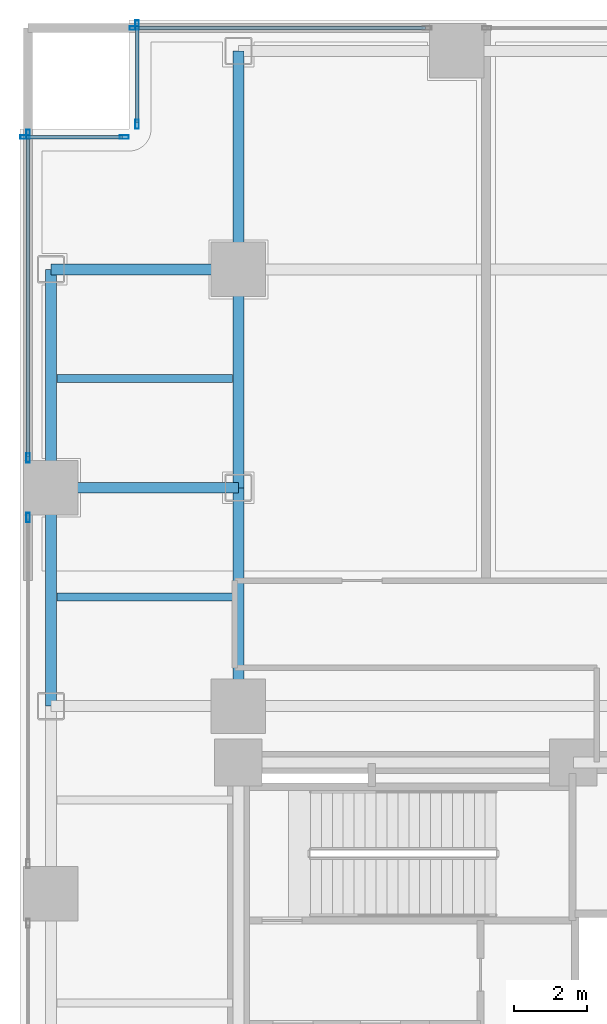
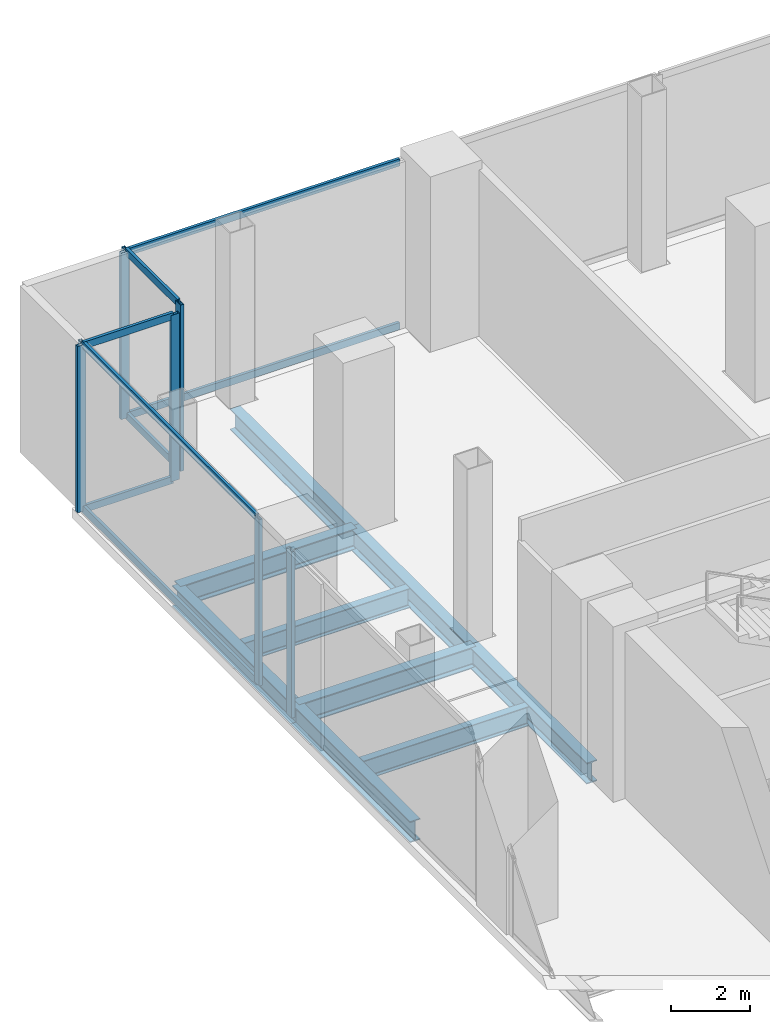
# One storey, part 13 of 27: 16 members, 9 beams, 5 elements without a shape of their own.
"""IFC4 building model written with IfcOpenShell, lengths in metres."""

from ifc_helpers import new_model, si_unit, direction, frame, origin, origin_2d, place, context, subcontext, project, spatial, hollow_rectangle, i_section, extrude, material, layer, layer_set, material_profile, profile_set, type_object, element, aggregate, save


model = new_model("IFC4")

# Units and contexts
model_context = context("Model", 3, precision=1e-05, world=origin(), true_north=direction((0.0, 1.0)))
body_context = subcontext(model_context, "Body", "Model", "MODEL_VIEW")
ifc_project = project(units=[si_unit("LENGTHUNIT", "METRE"), si_unit("AREAUNIT", "SQUARE_METRE"), si_unit("VOLUMEUNIT", "CUBIC_METRE"), si_unit("PLANEANGLEUNIT", "RADIAN"), si_unit("MASSUNIT", "GRAM", prefix="KILO"), si_unit("THERMODYNAMICTEMPERATUREUNIT", "KELVIN"), si_unit("POWERUNIT", "WATT")], contexts=[model_context])

# Site, building, storey
site_placement = place(None, origin())
site = spatial("IfcSite", under=ifc_project, at=site_placement, CompositionType="ELEMENT")
building_placement = place(site_placement, origin())
building = spatial("IfcBuilding", under=site, at=building_placement, Name="Svarakhadi Broadcast Tower", CompositionType="ELEMENT")
storey_placement = place(building_placement, frame((0.0, 0.0, 5.699951171875)))
storey = spatial("IfcBuildingStorey", under=building, at=storey_placement, Name="L01", CompositionType="ELEMENT", Elevation=5.699951171875)

# Beams
ifc_material_1 = material(Name="Steel S355J2 (IS 2062 E350C)", Category="steel")
ifc_material_profile_1 = material_profile(ifc_material_1, i_section(OverallWidth=0.219970703125, OverallDepth=0.60009765625, WebThickness=0.011962890625, FlangeThickness=0.01904296875, FilletRadius=0.02392578125, at=origin_2d()), Name="NPB 600x220x122")
ifc_profile_set_1 = profile_set([ifc_material_profile_1], Name="Steel S355J2 (IS 2062 E350C)")
beam_type_1 = type_object("IfcBeamType", Name="Beam_NPB600", PredefinedType="BEAM", material=ifc_profile_set_1)
for number, where, z_axis, x_axis, name in (
    (1, (1.010009765625, 32.14990234375, -0.599853515625), (1.0, 0.0, 0.0), (0.0, 1.0, 0.0), "L01 Secondary Composite Beam SB005"),
    (2, (1.010009765625, 38.14990234375, -0.599853515625), (1.0, 0.0, 0.0), (0.0, 1.0, 0.0), "L01 Secondary Composite Beam SB006"),
):
    element("IfcBeam", number, at=place(storey_placement, frame(where, z_axis=z_axis, x_axis=x_axis)), inside=storey, type_object=beam_type_1, Name=name, PredefinedType="BEAM", context=body_context, shape_type="SweptSolid", body=[
        extrude(i_section(OverallWidth=0.219970703125, OverallDepth=0.60009765625, WebThickness=0.011962890625, FlangeThickness=0.01904296875, FilletRadius=0.02392578125, at=origin_2d()), origin(), (0.0, 0.0, 1.0), 4.830078125),
    ])

# Curtain wall, member
ifc_material_2 = material(Name="Anodised Bronze Aluminium AA 6063-T6", Category="aluminium")
ifc_layer = layer(ifc_material_2, 0.25)
ifc_layer_set = layer_set([ifc_layer], Name="Anodised Bronze Aluminium AA 6063-T6")
curtain_wall_type = type_object("IfcCurtainWallType", Name="CW_Sys_01", PredefinedType="NOTDEFINED", material=ifc_layer_set)
curtain_wall_1_placement = place(storey_placement, origin())
curtain_wall_1 = element("IfcCurtainWall", 3, at=curtain_wall_1_placement, inside=storey, type_object=curtain_wall_type, Name="L01 Unitised Facade Curtain Wall 02 Bay 3", PredefinedType="NOTDEFINED")
ifc_material_profile_2 = material_profile(ifc_material_2, hollow_rectangle(XDim=0.094970703125, YDim=0.25, WallThickness=0.006103515625, at=origin_2d()), Name="ALU MULLION 250x95x6")
ifc_profile_set_2 = profile_set([ifc_material_profile_2], Name="Anodised Bronze Aluminium AA 6063-T6")
member_type_1 = type_object("IfcMemberType", Name="CW_Sys_01_Mul", PredefinedType="MULLION", material=ifc_profile_set_2)
member_1_placement = place(storey_placement, frame((0.219970703125, 34.33251953125, 0.0), z_axis=(0.0, 0.0, 1.0), x_axis=(-1.0, 0.0, 0.0)))
member_1 = element("IfcMember", 4, at=member_1_placement, type_object=member_type_1, Name="CW-01 mullion 2", PredefinedType="MULLION", context=body_context, shape_type="SweptSolid", body=[
    extrude(hollow_rectangle(XDim=0.094970703125, YDim=0.25, WallThickness=0.006103515625, at=origin_2d()), origin(), (0.0, 0.0, 1.0), 5.125),
])
aggregate(curtain_wall_1, [member_1])

# Curtain wall, members
curtain_wall_2_placement = place(storey_placement, origin())
curtain_wall_2 = element("IfcCurtainWall", 5, at=curtain_wall_2_placement, inside=storey, type_object=curtain_wall_type, Name="L01 Unitised Facade Curtain Wall 02 Bay 4", PredefinedType="NOTDEFINED")
member_2_placement = place(storey_placement, frame((0.219970703125, 35.967529296875, 0.0), z_axis=(0.0, 0.0, 1.0), x_axis=(-1.0, 0.0, 0.0)))
member_2 = element("IfcMember", 6, at=member_2_placement, type_object=member_type_1, Name="CW-01 mullion 1", PredefinedType="MULLION", context=body_context, shape_type="SweptSolid", body=[
    extrude(hollow_rectangle(XDim=0.094970703125, YDim=0.25, WallThickness=0.006103515625, at=origin_2d()), origin(), (0.0, 0.0, 1.0), 5.125),
])
member_3_placement = place(storey_placement, frame((0.219970703125, 44.862548828125, 0.0), z_axis=(0.0, 0.0, 1.0), x_axis=(-1.0, 0.0, 0.0)))
member_3 = element("IfcMember", 7, at=member_3_placement, type_object=member_type_1, Name="CW-01 mullion 2", PredefinedType="MULLION", context=body_context, shape_type="SweptSolid", body=[
    extrude(hollow_rectangle(XDim=0.094970703125, YDim=0.25, WallThickness=0.006103515625, at=origin_2d()), origin(), (0.0, 0.0, 1.0), 5.125),
])

curtain_wall_3_placement = place(storey_placement, origin())
curtain_wall_3 = element("IfcCurtainWall", 8, at=curtain_wall_3_placement, inside=storey, type_object=curtain_wall_type, Name="L01 Unitised Facade Curtain Wall 03", PredefinedType="NOTDEFINED")
member_4_placement = place(storey_placement, frame((0.137451171875, 44.780029296875, 0.0), z_axis=(0.0, 0.0, 1.0), x_axis=(0.0, 1.0, 0.0)))
member_4 = element("IfcMember", 9, at=member_4_placement, type_object=member_type_1, Name="CW-01 mullion 1", PredefinedType="MULLION", context=body_context, shape_type="SweptSolid", body=[
    extrude(hollow_rectangle(XDim=0.094970703125, YDim=0.25, WallThickness=0.006103515625, at=origin_2d()), origin(), (0.0, 0.0, 1.0), 5.125),
])
member_5_placement = place(storey_placement, frame((2.862548828125, 44.780029296875, 0.0), z_axis=(0.0, 0.0, 1.0), x_axis=(0.0, 1.0, 0.0)))
member_5 = element("IfcMember", 10, at=member_5_placement, type_object=member_type_1, Name="CW-01 mullion 2", PredefinedType="MULLION", context=body_context, shape_type="SweptSolid", body=[
    extrude(hollow_rectangle(XDim=0.094970703125, YDim=0.25, WallThickness=0.006103515625, at=origin_2d()), origin(), (0.0, 0.0, 1.0), 5.125),
])

curtain_wall_4_placement = place(storey_placement, origin())
curtain_wall_4 = element("IfcCurtainWall", 11, at=curtain_wall_4_placement, inside=storey, type_object=curtain_wall_type, Name="L01 Unitised Facade Curtain Wall 04", PredefinedType="NOTDEFINED")
member_6_placement = place(storey_placement, frame((3.219970703125, 45.137451171875, 0.0), z_axis=(0.0, 0.0, 1.0), x_axis=(-1.0, 0.0, 0.0)))
member_6 = element("IfcMember", 12, at=member_6_placement, type_object=member_type_1, Name="CW-01 mullion 1", PredefinedType="MULLION", context=body_context, shape_type="SweptSolid", body=[
    extrude(hollow_rectangle(XDim=0.094970703125, YDim=0.25, WallThickness=0.006103515625, at=origin_2d()), origin(), (0.0, 0.0, 1.0), 5.125),
])
member_7_placement = place(storey_placement, frame((3.219970703125, 47.862548828125, 0.0), z_axis=(0.0, 0.0, 1.0), x_axis=(-1.0, 0.0, 0.0)))
member_7 = element("IfcMember", 13, at=member_7_placement, type_object=member_type_1, Name="CW-01 mullion 2", PredefinedType="MULLION", context=body_context, shape_type="SweptSolid", body=[
    extrude(hollow_rectangle(XDim=0.094970703125, YDim=0.25, WallThickness=0.006103515625, at=origin_2d()), origin(), (0.0, 0.0, 1.0), 5.125),
])

# Curtain wall, member
curtain_wall_5_placement = place(storey_placement, origin())
curtain_wall_5 = element("IfcCurtainWall", 14, at=curtain_wall_5_placement, inside=storey, type_object=curtain_wall_type, Name="L01 Unitised Facade Curtain Wall 05 Bay 1", PredefinedType="NOTDEFINED")
member_8_placement = place(storey_placement, frame((3.137451171875, 47.780029296875, 0.0), z_axis=(0.0, 0.0, 1.0), x_axis=(0.0, 1.0, 0.0)))
member_8 = element("IfcMember", 15, at=member_8_placement, type_object=member_type_1, Name="CW-01 mullion 1", PredefinedType="MULLION", context=body_context, shape_type="SweptSolid", body=[
    extrude(hollow_rectangle(XDim=0.094970703125, YDim=0.25, WallThickness=0.006103515625, at=origin_2d()), origin(), (0.0, 0.0, 1.0), 5.125),
])

# Member
ifc_material_profile_3 = material_profile(ifc_material_2, hollow_rectangle(XDim=0.0849609375, YDim=0.219970703125, WallThickness=0.0048828125, at=origin_2d()), Name="ALU TRANSOM 220x85x5")
ifc_profile_set_3 = profile_set([ifc_material_profile_3], Name="Anodised Bronze Aluminium AA 6063-T6")
member_type_2 = type_object("IfcMemberType", Name="CW_Sys_01_Trn", PredefinedType="USERDEFINED", material=ifc_profile_set_3)
member_9_placement = place(storey_placement, frame((0.219970703125, 36.014892578125, 0.04248046875), z_axis=(0.0, 1.0, 0.0), x_axis=(-1.0, 0.0, 0.0)))
member_9 = element("IfcMember", 16, at=member_9_placement, type_object=member_type_2, Name="CW-01 transom 1.1", ObjectType="TRANSOM", PredefinedType="USERDEFINED", context=body_context, shape_type="SweptSolid", body=[
    extrude(hollow_rectangle(XDim=0.0849609375, YDim=0.219970703125, WallThickness=0.0048828125, at=origin_2d()), origin(), (0.0, 0.0, 1.0), 8.800048828125),
])

member_10_placement = place(storey_placement, frame((0.219970703125, 36.014892578125, 5.08251953125), z_axis=(0.0, 1.0, 0.0), x_axis=(-1.0, 0.0, 0.0)))
member_10 = element("IfcMember", 17, at=member_10_placement, type_object=member_type_2, Name="CW-01 transom 1.2", ObjectType="TRANSOM", PredefinedType="USERDEFINED", context=body_context, shape_type="SweptSolid", body=[
    extrude(hollow_rectangle(XDim=0.0849609375, YDim=0.219970703125, WallThickness=0.0048828125, at=origin_2d()), origin(), (0.0, 0.0, 1.0), 8.800048828125),
])

aggregate(curtain_wall_2, [member_2, member_3, member_9, member_10])

member_11_placement = place(storey_placement, frame((0.18505859375, 44.780029296875, 0.04248046875), z_axis=(1.0, 0.0, 0.0), x_axis=(0.0, 1.0, 0.0)))
member_11 = element("IfcMember", 18, at=member_11_placement, type_object=member_type_2, Name="CW-01 transom 1.1", ObjectType="TRANSOM", PredefinedType="USERDEFINED", context=body_context, shape_type="SweptSolid", body=[
    extrude(hollow_rectangle(XDim=0.0849609375, YDim=0.219970703125, WallThickness=0.0048828125, at=origin_2d()), origin(), (0.0, 0.0, 1.0), 2.6298828125),
])

member_12_placement = place(storey_placement, frame((0.18505859375, 44.780029296875, 5.08251953125), z_axis=(1.0, 0.0, 0.0), x_axis=(0.0, 1.0, 0.0)))
member_12 = element("IfcMember", 19, at=member_12_placement, type_object=member_type_2, Name="CW-01 transom 1.2", ObjectType="TRANSOM", PredefinedType="USERDEFINED", context=body_context, shape_type="SweptSolid", body=[
    extrude(hollow_rectangle(XDim=0.0849609375, YDim=0.219970703125, WallThickness=0.0048828125, at=origin_2d()), origin(), (0.0, 0.0, 1.0), 2.6298828125),
])

aggregate(curtain_wall_3, [member_4, member_5, member_11, member_12])

member_13_placement = place(storey_placement, frame((3.219970703125, 45.18505859375, 0.04248046875), z_axis=(0.0, 1.0, 0.0), x_axis=(-1.0, 0.0, 0.0)))
member_13 = element("IfcMember", 20, at=member_13_placement, type_object=member_type_2, Name="CW-01 transom 1.1", ObjectType="TRANSOM", PredefinedType="USERDEFINED", context=body_context, shape_type="SweptSolid", body=[
    extrude(hollow_rectangle(XDim=0.0849609375, YDim=0.219970703125, WallThickness=0.0048828125, at=origin_2d()), origin(), (0.0, 0.0, 1.0), 2.6298828125),
])

member_14_placement = place(storey_placement, frame((3.219970703125, 45.18505859375, 5.08251953125), z_axis=(0.0, 1.0, 0.0), x_axis=(-1.0, 0.0, 0.0)))
member_14 = element("IfcMember", 21, at=member_14_placement, type_object=member_type_2, Name="CW-01 transom 1.2", ObjectType="TRANSOM", PredefinedType="USERDEFINED", context=body_context, shape_type="SweptSolid", body=[
    extrude(hollow_rectangle(XDim=0.0849609375, YDim=0.219970703125, WallThickness=0.0048828125, at=origin_2d()), origin(), (0.0, 0.0, 1.0), 2.6298828125),
])

aggregate(curtain_wall_4, [member_6, member_7, member_13, member_14])

member_15_placement = place(storey_placement, frame((3.18505859375, 47.780029296875, 0.04248046875), z_axis=(1.0, 0.0, 0.0), x_axis=(0.0, 1.0, 0.0)))
member_15 = element("IfcMember", 22, at=member_15_placement, type_object=member_type_2, Name="CW-01 transom 1.1", ObjectType="TRANSOM", PredefinedType="USERDEFINED", context=body_context, shape_type="SweptSolid", body=[
    extrude(hollow_rectangle(XDim=0.0849609375, YDim=0.219970703125, WallThickness=0.0048828125, at=origin_2d()), origin(), (0.0, 0.0, 1.0), 7.949951171875),
])

member_16_placement = place(storey_placement, frame((3.18505859375, 47.780029296875, 5.08251953125), z_axis=(1.0, 0.0, 0.0), x_axis=(0.0, 1.0, 0.0)))
member_16 = element("IfcMember", 23, at=member_16_placement, type_object=member_type_2, Name="CW-01 transom 1.2", ObjectType="TRANSOM", PredefinedType="USERDEFINED", context=body_context, shape_type="SweptSolid", body=[
    extrude(hollow_rectangle(XDim=0.0849609375, YDim=0.219970703125, WallThickness=0.0048828125, at=origin_2d()), origin(), (0.0, 0.0, 1.0), 7.949951171875),
])

aggregate(curtain_wall_5, [member_8, member_15, member_16])

# Beams
ifc_material_profile_4 = material_profile(ifc_material_1, i_section(OverallWidth=0.300048828125, OverallDepth=0.64990234375, WebThickness=0.01611328125, FlangeThickness=0.031005859375, FilletRadius=0.027099609375, at=origin_2d()), Name="WPB 650x300x225")
ifc_profile_set_4 = profile_set([ifc_material_profile_4], Name="Steel S355J2 (IS 2062 E350C)")
beam_type_2 = type_object("IfcBeamType", Name="Girder_WPB650", PredefinedType="USERDEFINED", material=ifc_profile_set_4)
for number, where, z_axis, x_axis, name in (
    (24, (0.85009765625, 35.14990234375, -0.625), (1.0, 0.0, 0.0), (0.0, 1.0, 0.0), "L01 Primary E-W Girder G037"),
    (25, (0.85009765625, 41.14990234375, -0.625), (1.0, 0.0, 0.0), (0.0, 1.0, 0.0), "L01 Primary E-W Girder G040"),
):
    element("IfcBeam", number, at=place(storey_placement, frame(where, z_axis=z_axis, x_axis=x_axis)), inside=storey, type_object=beam_type_2, Name=name, ObjectType="GIRDER", PredefinedType="USERDEFINED", context=body_context, shape_type="SweptSolid", body=[
        extrude(i_section(OverallWidth=0.300048828125, OverallDepth=0.64990234375, WebThickness=0.01611328125, FlangeThickness=0.031005859375, FilletRadius=0.027099609375, at=origin_2d()), origin(), (0.0, 0.0, 1.0), 5.14990234375),
    ])
for number, where, z_axis, x_axis, name in (
    (26, (0.85009765625, 29.14990234375, -0.625), (0.0, 1.0, 0.0), (-1.0, 0.0, 0.0), "L01 Primary N-S Girder G048"),
    (27, (0.85009765625, 35.14990234375, -0.625), (0.0, 1.0, 0.0), (-1.0, 0.0, 0.0), "L01 Primary N-S Girder G049"),
    (28, (6.0, 29.14990234375, -0.625), (0.0, 1.0, 0.0), (-1.0, 0.0, 0.0), "L01 Primary N-S Girder G054"),
    (29, (6.0, 35.14990234375, -0.625), (0.0, 1.0, 0.0), (-1.0, 0.0, 0.0), "L01 Primary N-S Girder G055"),
    (30, (6.0, 41.14990234375, -0.625), (0.0, 1.0, 0.0), (-1.0, 0.0, 0.0), "L01 Primary N-S Girder G056"),
):
    element("IfcBeam", number, at=place(storey_placement, frame(where, z_axis=z_axis, x_axis=x_axis)), inside=storey, type_object=beam_type_2, Name=name, ObjectType="GIRDER", PredefinedType="USERDEFINED", context=body_context, shape_type="SweptSolid", body=[
        extrude(i_section(OverallWidth=0.300048828125, OverallDepth=0.64990234375, WebThickness=0.01611328125, FlangeThickness=0.031005859375, FilletRadius=0.027099609375, at=origin_2d()), origin(), (0.0, 0.0, 1.0), 6.0),
    ])

save(model, "model.ifc")
